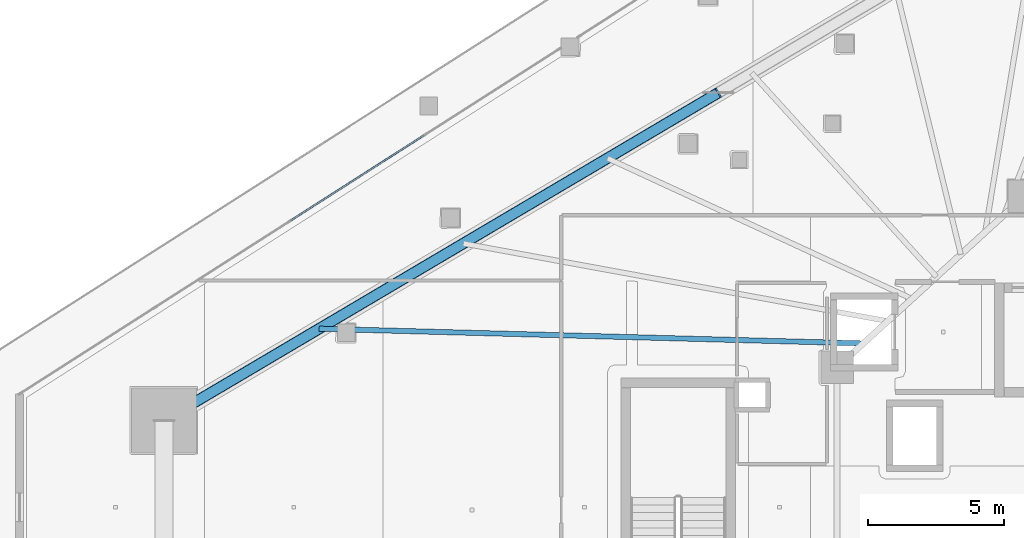
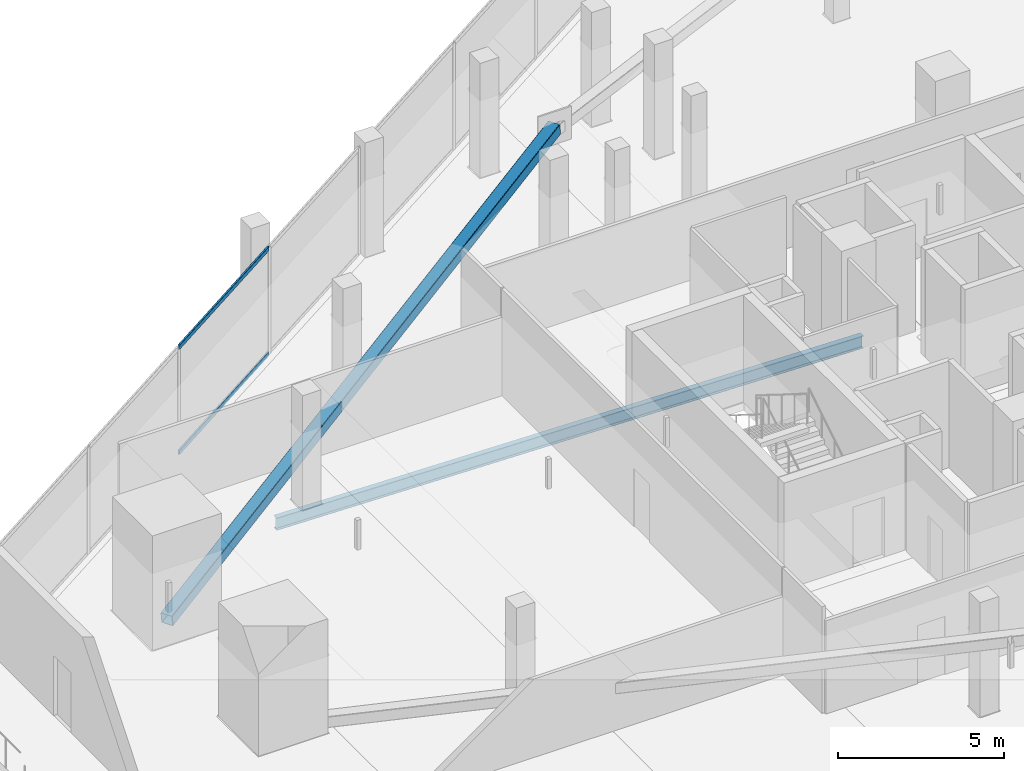
# One storey, part 13 of 45: 3 members, 1 beam, 1 element without a shape of its own.
"""IFC4 building model written with IfcOpenShell, lengths in metres."""

from ifc_helpers import new_model, si_unit, direction, frame, origin, origin_2d, place, context, subcontext, project, spatial, hollow_rectangle, i_section, extrude, material, layer, layer_set, material_profile, profile_set, type_object, element, aggregate, save


model = new_model("IFC4")

# Units and contexts
model_context = context("Model", 3, precision=1e-05, world=origin(), true_north=direction((0.0, 1.0)))
body_context = subcontext(model_context, "Body", "Model", "MODEL_VIEW")
ifc_project = project(units=[si_unit("LENGTHUNIT", "METRE"), si_unit("AREAUNIT", "SQUARE_METRE"), si_unit("VOLUMEUNIT", "CUBIC_METRE"), si_unit("PLANEANGLEUNIT", "RADIAN"), si_unit("MASSUNIT", "GRAM", prefix="KILO")], contexts=[model_context])

# Site, building, storey
site_placement = place(None, origin())
site = spatial("IfcSite", under=ifc_project, at=site_placement, CompositionType="ELEMENT")
building_placement = place(site_placement, origin())
building = spatial("IfcBuilding", under=site, at=building_placement, Name="Qorvath Tower", CompositionType="ELEMENT")
storey_placement = place(building_placement, frame((0.0, 0.0, 49.199951171875)))
storey = spatial("IfcBuildingStorey", under=building, at=storey_placement, Name="L10", CompositionType="ELEMENT", Elevation=49.199951171875)

# Beam
ifc_material_1 = material(Name="Steel ASTM A992 Grade 50", Category="steel")
ifc_material_profile_1 = material_profile(ifc_material_1, i_section(OverallWidth=0.18994140625, OverallDepth=0.45703125, WebThickness=0.009033203125, FlangeThickness=0.014404296875, FilletRadius=0.011962890625, at=origin_2d()), Name="W18x50")
ifc_profile_set_1 = profile_set([ifc_material_profile_1], Name="Steel ASTM A992 Grade 50")
beam_type = type_object("IfcBeamType", Name="BM-FJ2", PredefinedType="JOIST", material=ifc_profile_set_1)
beam_placement = place(storey_placement, frame((-29.533935546875, 6.031982421875, -0.508544921875), z_axis=(-0.999634925413, 0.02701880631, 0.0), x_axis=(-0.02701880631, -0.999634925413, 0.0)))
element("IfcBeam", 1, at=beam_placement, inside=storey, type_object=beam_type, Name="Composite Floor Joist NW1 L10", PredefinedType="JOIST", context=body_context, shape_type="SweptSolid", body=[
    extrude(i_section(OverallWidth=0.18994140625, OverallDepth=0.45703125, WebThickness=0.009033203125, FlangeThickness=0.014404296875, FilletRadius=0.011962890625, at=origin_2d()), origin(), (0.0, 0.0, 1.0), 20.041748046875),
])

# Curtain wall, members
ifc_material_2 = material(Name="Anodised aluminium and triple low-E glass", Category="aluminium")
ifc_layer = layer(ifc_material_2, 0.179931640625)
ifc_layer_set = layer_set([ifc_layer], Name="CW-SYS-2")
curtain_wall_type = type_object("IfcCurtainWallType", Name="CW-SYS-2", PredefinedType="NOTDEFINED", material=ifc_layer_set)
curtain_wall_placement = place(storey_placement, origin())
curtain_wall = element("IfcCurtainWall", 2, at=curtain_wall_placement, inside=storey, type_object=curtain_wall_type, Name="Curtain Wall CW-2 CW-T-L10-16.3", PredefinedType="NOTDEFINED")
ifc_material_3 = material(Name="Anodised aluminium 6063-T6", Category="aluminium")
ifc_material_profile_2 = material_profile(ifc_material_3, hollow_rectangle(XDim=0.06494140625, YDim=0.159912109375, WallThickness=0.00341796875, InnerFilletRadius=0.00341796875, OuterFilletRadius=0.007080078125, at=origin_2d()), Name="CWT 160x65")
ifc_profile_set_2 = profile_set([ifc_material_profile_2], Name="Anodised aluminium 6063-T6")
member_type_1 = type_object("IfcMemberType", Name="CWT-160", PredefinedType="USERDEFINED", material=ifc_profile_set_2)
member_1_placement = place(storey_placement, frame((-45.704345703125, 13.69677734375, 0.032470703125), z_axis=(-0.842618260885, -0.538511342891, 0.0), x_axis=(0.538511342891, -0.842618260885, 0.0)))
member_1 = element("IfcMember", 3, at=member_1_placement, type_object=member_type_1, Name="CW-2 transom 2.1", ObjectType="TRANSOM", PredefinedType="USERDEFINED", context=body_context, shape_type="SweptSolid", body=[
    extrude(hollow_rectangle(XDim=0.06494140625, YDim=0.159912109375, WallThickness=0.00341796875, InnerFilletRadius=0.00341796875, OuterFilletRadius=0.007080078125, at=origin_2d()), origin(), (0.0, 0.0, 1.0), 5.8388671875),
])
member_2_placement = place(storey_placement, frame((-45.704345703125, 13.69677734375, 3.8876953125), z_axis=(-0.842618260885, -0.538511342891, 0.0), x_axis=(0.538511342891, -0.842618260885, 0.0)))
member_2 = element("IfcMember", 4, at=member_2_placement, type_object=member_type_1, Name="CW-2 transom 2.2", ObjectType="TRANSOM", PredefinedType="USERDEFINED", context=body_context, shape_type="SweptSolid", body=[
    extrude(hollow_rectangle(XDim=0.06494140625, YDim=0.159912109375, WallThickness=0.00341796875, InnerFilletRadius=0.00341796875, OuterFilletRadius=0.007080078125, at=origin_2d()), origin(), (0.0, 0.0, 1.0), 5.8388671875),
])
aggregate(curtain_wall, [member_1, member_2])

# Member
ifc_material_4 = material(Name="Steel ASTM A500 Grade C", Category="steel")
ifc_material_profile_3 = material_profile(ifc_material_4, hollow_rectangle(XDim=0.406494140625, YDim=0.406494140625, WallThickness=0.015869140625, InnerFilletRadius=0.015869140625, OuterFilletRadius=0.03173828125, at=origin_2d()), Name="HSS 406x406x16")
ifc_profile_set_3 = profile_set([ifc_material_profile_3], Name="Steel ASTM A500 Grade C")
member_type_2 = type_object("IfcMemberType", Name="MEM-MB1", PredefinedType="BRACE", material=ifc_profile_set_3)
member_3_placement = place(storey_placement, frame((-55.282958984375, 3.194580078125, 0.0), z_axis=(0.85118128098, 0.503310468206, 0.148892577058), x_axis=(-0.50898392026, 0.86077602715, 0.0)))
element("IfcMember", 5, at=member_3_placement, inside=storey, type_object=member_type_2, Name="Perimeter Chevron Brace L10-1B", PredefinedType="BRACE", context=body_context, shape_type="SweptSolid", body=[
    extrude(hollow_rectangle(XDim=0.406494140625, YDim=0.406494140625, WallThickness=0.015869140625, InnerFilletRadius=0.015869140625, OuterFilletRadius=0.03173828125, at=origin_2d()), origin(), (0.0, 0.0, 1.0), 23.9775390625),
])

save(model, "model.ifc")
